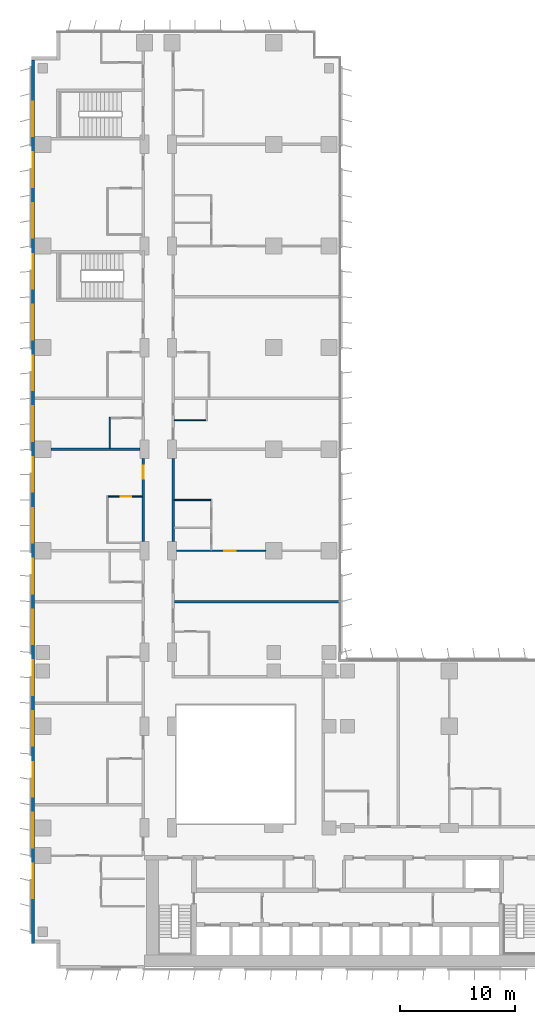
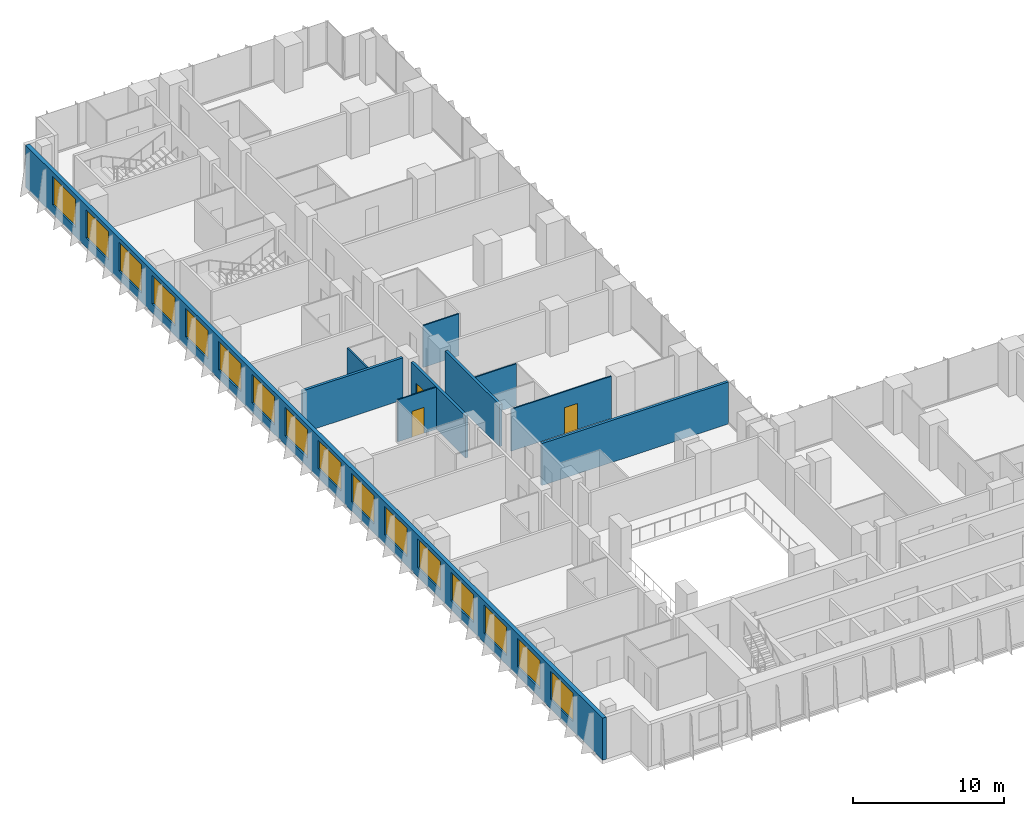
# One storey, part 16 of 24: 16 windows, 10 walls, 3 doors, 19 openings.
"""IFC4 building model written with IfcOpenShell, lengths in metres."""

from ifc_helpers import new_model, si_unit, direction, frame, frame_2d, origin, place, context, subcontext, project, spatial, rectangle, extrude, material, layer, layer_set, type_object, element, fill, save


model = new_model("IFC4")

# Units and contexts
model_context = context("Model", 3, precision=1e-05, world=origin(), true_north=direction((0.0, 1.0)))
body_context = subcontext(model_context, "Body", "Model", "MODEL_VIEW")
ifc_project = project(units=[si_unit("LENGTHUNIT", "METRE"), si_unit("AREAUNIT", "SQUARE_METRE"), si_unit("VOLUMEUNIT", "CUBIC_METRE"), si_unit("PLANEANGLEUNIT", "RADIAN"), si_unit("MASSUNIT", "GRAM", prefix="KILO")], contexts=[model_context])

# Site, building, storey
site_placement = place(None, origin())
site = spatial("IfcSite", under=ifc_project, at=site_placement, CompositionType="ELEMENT")
building_placement = place(site_placement, origin())
building = spatial("IfcBuilding", under=site, at=building_placement, Name="Kemantara Hotel Tower", CompositionType="ELEMENT")
storey_placement = place(building_placement, frame((0.0, 0.0, 41.39990234375)))
storey = spatial("IfcBuildingStorey", under=building, at=storey_placement, Name="L08", CompositionType="ELEMENT", Elevation=41.39990234375)

# Wall, openings, windows
ifc_material_1 = material(Name="Bronze anodised aluminium cladding on insulated steel stud wall", Category="steel")
ifc_layer_1 = layer(ifc_material_1, 0.300048828125)
ifc_layer_set_1 = layer_set([ifc_layer_1], Name="Bronze anodised aluminium cladding on insulated steel stud wall")
wall_type_1 = type_object("IfcWallType", Name="BRONZE METAL-CLAD EXTERNAL WALL 300", PredefinedType="STANDARD", material=ifc_layer_set_1)
wall_1_placement = place(storey_placement, frame((0.14990234375, 78.699951171875, 0.0), z_axis=(0.0, 0.0, 1.0), x_axis=(0.0, -1.0, 0.0)))
wall_1 = element("IfcWall", 1, at=wall_1_placement, inside=storey, type_object=wall_type_1, Name="EXTERNAL WALL L08 T1-R14", PredefinedType="STANDARD", context=body_context, shape_type="SweptSolid", body=[
    extrude(rectangle(XDim=76.5, YDim=0.300048828125, at=frame_2d((38.25, 0.0))), origin(), (0.0, 0.0, 1.0), 3.400146484375),
])
opening_1_placement = place(wall_1_placement, frame((3.60009765625, 0.0, 0.75)))
opening_1 = element("IfcOpeningElement", 2, at=opening_1_placement, cuts=wall_1, Name="Opening W1", PredefinedType="OPENING", context=body_context, shape_type="SweptSolid", body=[
    extrude(rectangle(XDim=3.0, YDim=2.300048828125, at=frame_2d((1.5, 1.14990234375))), frame((0.0, 0.159912109375, 0.0), z_axis=(0.0, -1.0, 0.0), x_axis=(1.0, 0.0, 0.0)), (0.0, 0.0, 1.0), 0.320068359375),
])
opening_2_placement = place(wall_1_placement, frame((8.0, 0.0, 0.75)))
opening_2 = element("IfcOpeningElement", 3, at=opening_2_placement, cuts=wall_1, Name="Opening W1", PredefinedType="OPENING", context=body_context, shape_type="SweptSolid", body=[
    extrude(rectangle(XDim=3.0, YDim=2.300048828125, at=frame_2d((1.5, 1.14990234375))), frame((0.0, 0.159912109375, 0.0), z_axis=(0.0, -1.0, 0.0), x_axis=(1.0, 0.0, 0.0)), (0.0, 0.0, 1.0), 0.320068359375),
])
opening_3_placement = place(wall_1_placement, frame((12.39990234375, 0.0, 0.75)))
opening_3 = element("IfcOpeningElement", 4, at=opening_3_placement, cuts=wall_1, Name="Opening W1", PredefinedType="OPENING", context=body_context, shape_type="SweptSolid", body=[
    extrude(rectangle(XDim=3.0, YDim=2.300048828125, at=frame_2d((1.5, 1.14990234375))), frame((0.0, 0.159912109375, 0.0), z_axis=(0.0, -1.0, 0.0), x_axis=(1.0, 0.0, 0.0)), (0.0, 0.0, 1.0), 0.320068359375),
])
opening_4_placement = place(wall_1_placement, frame((16.800048828125, 0.0, 0.75)))
opening_4 = element("IfcOpeningElement", 5, at=opening_4_placement, cuts=wall_1, Name="Opening W1", PredefinedType="OPENING", context=body_context, shape_type="SweptSolid", body=[
    extrude(rectangle(XDim=3.0, YDim=2.300048828125, at=frame_2d((1.5, 1.14990234375))), frame((0.0, 0.159912109375, 0.0), z_axis=(0.0, -1.0, 0.0), x_axis=(1.0, 0.0, 0.0)), (0.0, 0.0, 1.0), 0.320068359375),
])
opening_5_placement = place(wall_1_placement, frame((21.199951171875, 0.0, 0.75)))
opening_5 = element("IfcOpeningElement", 6, at=opening_5_placement, cuts=wall_1, Name="Opening W1", PredefinedType="OPENING", context=body_context, shape_type="SweptSolid", body=[
    extrude(rectangle(XDim=3.0, YDim=2.300048828125, at=frame_2d((1.5, 1.14990234375))), frame((0.0, 0.159912109375, 0.0), z_axis=(0.0, -1.0, 0.0), x_axis=(1.0, 0.0, 0.0)), (0.0, 0.0, 1.0), 0.320068359375),
])
opening_6_placement = place(wall_1_placement, frame((25.60009765625, 0.0, 0.75)))
opening_6 = element("IfcOpeningElement", 7, at=opening_6_placement, cuts=wall_1, Name="Opening W1", PredefinedType="OPENING", context=body_context, shape_type="SweptSolid", body=[
    extrude(rectangle(XDim=3.0, YDim=2.300048828125, at=frame_2d((1.5, 1.14990234375))), frame((0.0, 0.159912109375, 0.0), z_axis=(0.0, -1.0, 0.0), x_axis=(1.0, 0.0, 0.0)), (0.0, 0.0, 1.0), 0.320068359375),
])
opening_7_placement = place(wall_1_placement, frame((30.0, 0.0, 0.75)))
opening_7 = element("IfcOpeningElement", 8, at=opening_7_placement, cuts=wall_1, Name="Opening W1", PredefinedType="OPENING", context=body_context, shape_type="SweptSolid", body=[
    extrude(rectangle(XDim=3.0, YDim=2.300048828125, at=frame_2d((1.5, 1.14990234375))), frame((0.0, 0.159912109375, 0.0), z_axis=(0.0, -1.0, 0.0), x_axis=(1.0, 0.0, 0.0)), (0.0, 0.0, 1.0), 0.320068359375),
])
opening_8_placement = place(wall_1_placement, frame((34.39990234375, 0.0, 0.75)))
opening_8 = element("IfcOpeningElement", 9, at=opening_8_placement, cuts=wall_1, Name="Opening W1", PredefinedType="OPENING", context=body_context, shape_type="SweptSolid", body=[
    extrude(rectangle(XDim=3.0, YDim=2.300048828125, at=frame_2d((1.5, 1.14990234375))), frame((0.0, 0.159912109375, 0.0), z_axis=(0.0, -1.0, 0.0), x_axis=(1.0, 0.0, 0.0)), (0.0, 0.0, 1.0), 0.320068359375),
])
opening_9_placement = place(wall_1_placement, frame((38.800048828125, 0.0, 0.75)))
opening_9 = element("IfcOpeningElement", 10, at=opening_9_placement, cuts=wall_1, Name="Opening W1", PredefinedType="OPENING", context=body_context, shape_type="SweptSolid", body=[
    extrude(rectangle(XDim=3.0, YDim=2.300048828125, at=frame_2d((1.5, 1.14990234375))), frame((0.0, 0.159912109375, 0.0), z_axis=(0.0, -1.0, 0.0), x_axis=(1.0, 0.0, 0.0)), (0.0, 0.0, 1.0), 0.320068359375),
])
opening_10_placement = place(wall_1_placement, frame((43.199951171875, 0.0, 0.75)))
opening_10 = element("IfcOpeningElement", 11, at=opening_10_placement, cuts=wall_1, Name="Opening W1", PredefinedType="OPENING", context=body_context, shape_type="SweptSolid", body=[
    extrude(rectangle(XDim=3.0, YDim=2.300048828125, at=frame_2d((1.5, 1.14990234375))), frame((0.0, 0.159912109375, 0.0), z_axis=(0.0, -1.0, 0.0), x_axis=(1.0, 0.0, 0.0)), (0.0, 0.0, 1.0), 0.320068359375),
])
opening_11_placement = place(wall_1_placement, frame((47.60009765625, 0.0, 0.75)))
opening_11 = element("IfcOpeningElement", 12, at=opening_11_placement, cuts=wall_1, Name="Opening W1", PredefinedType="OPENING", context=body_context, shape_type="SweptSolid", body=[
    extrude(rectangle(XDim=3.0, YDim=2.300048828125, at=frame_2d((1.5, 1.14990234375))), frame((0.0, 0.159912109375, 0.0), z_axis=(0.0, -1.0, 0.0), x_axis=(1.0, 0.0, 0.0)), (0.0, 0.0, 1.0), 0.320068359375),
])
opening_12_placement = place(wall_1_placement, frame((52.0, 0.0, 0.75)))
opening_12 = element("IfcOpeningElement", 13, at=opening_12_placement, cuts=wall_1, Name="Opening W1", PredefinedType="OPENING", context=body_context, shape_type="SweptSolid", body=[
    extrude(rectangle(XDim=3.0, YDim=2.300048828125, at=frame_2d((1.5, 1.14990234375))), frame((0.0, 0.159912109375, 0.0), z_axis=(0.0, -1.0, 0.0), x_axis=(1.0, 0.0, 0.0)), (0.0, 0.0, 1.0), 0.320068359375),
])
opening_13_placement = place(wall_1_placement, frame((56.39990234375, 0.0, 0.75)))
opening_13 = element("IfcOpeningElement", 14, at=opening_13_placement, cuts=wall_1, Name="Opening W1", PredefinedType="OPENING", context=body_context, shape_type="SweptSolid", body=[
    extrude(rectangle(XDim=3.0, YDim=2.300048828125, at=frame_2d((1.5, 1.14990234375))), frame((0.0, 0.159912109375, 0.0), z_axis=(0.0, -1.0, 0.0), x_axis=(1.0, 0.0, 0.0)), (0.0, 0.0, 1.0), 0.320068359375),
])
opening_14_placement = place(wall_1_placement, frame((60.800048828125, 0.0, 0.75)))
opening_14 = element("IfcOpeningElement", 15, at=opening_14_placement, cuts=wall_1, Name="Opening W1", PredefinedType="OPENING", context=body_context, shape_type="SweptSolid", body=[
    extrude(rectangle(XDim=3.0, YDim=2.300048828125, at=frame_2d((1.5, 1.14990234375))), frame((0.0, 0.159912109375, 0.0), z_axis=(0.0, -1.0, 0.0), x_axis=(1.0, 0.0, 0.0)), (0.0, 0.0, 1.0), 0.320068359375),
])
opening_15_placement = place(wall_1_placement, frame((65.199951171875, 0.0, 0.75)))
opening_15 = element("IfcOpeningElement", 16, at=opening_15_placement, cuts=wall_1, Name="Opening W1", PredefinedType="OPENING", context=body_context, shape_type="SweptSolid", body=[
    extrude(rectangle(XDim=3.0, YDim=2.300048828125, at=frame_2d((1.5, 1.14990234375))), frame((0.0, 0.159912109375, 0.0), z_axis=(0.0, -1.0, 0.0), x_axis=(1.0, 0.0, 0.0)), (0.0, 0.0, 1.0), 0.320068359375),
])
opening_16_placement = place(wall_1_placement, frame((69.60009765625, 0.0, 0.75)))
opening_16 = element("IfcOpeningElement", 17, at=opening_16_placement, cuts=wall_1, Name="Opening W1", PredefinedType="OPENING", context=body_context, shape_type="SweptSolid", body=[
    extrude(rectangle(XDim=3.0, YDim=2.300048828125, at=frame_2d((1.5, 1.14990234375))), frame((0.0, 0.159912109375, 0.0), z_axis=(0.0, -1.0, 0.0), x_axis=(1.0, 0.0, 0.0)), (0.0, 0.0, 1.0), 0.320068359375),
])
ifc_material_2 = material(Name="Low-E tinted double insulated glass in bronze anodised aluminium frame", Category="aluminium")
window_type = type_object("IfcWindowType", Name="CHICAGO WINDOW, TRIPLE PANEL 3000x2300", PartitioningType="TRIPLE_PANEL_VERTICAL", PredefinedType="WINDOW", material=ifc_material_2)
window_1_placement = place(opening_1_placement, origin())
window_1 = element("IfcWindow", 18, at=window_1_placement, inside=storey, type_object=window_type, Name="CHICAGO WINDOW L08 T1-R14-54", OverallHeight=2.300048828125, OverallWidth=3.0, PartitioningType="SINGLE_PANEL", PredefinedType="WINDOW", context=body_context, shape_type="SweptSolid", body=[
    extrude(rectangle(XDim=3.0, YDim=2.300048828125, at=frame_2d((1.5, 1.14990234375))), frame((0.0, 0.030029296875, 0.0), z_axis=(0.0, -1.0, 0.0), x_axis=(1.0, 0.0, 0.0)), (0.0, 0.0, 1.0), 0.06005859375),
])
fill(opening_1, window_1)
window_2_placement = place(opening_2_placement, origin())
window_2 = element("IfcWindow", 19, at=window_2_placement, inside=storey, type_object=window_type, Name="CHICAGO WINDOW L08 T1-R14-98", OverallHeight=2.300048828125, OverallWidth=3.0, PartitioningType="SINGLE_PANEL", PredefinedType="WINDOW", context=body_context, shape_type="SweptSolid", body=[
    extrude(rectangle(XDim=3.0, YDim=2.300048828125, at=frame_2d((1.5, 1.14990234375))), frame((0.0, 0.030029296875, 0.0), z_axis=(0.0, -1.0, 0.0), x_axis=(1.0, 0.0, 0.0)), (0.0, 0.0, 1.0), 0.06005859375),
])
fill(opening_2, window_2)
window_3_placement = place(opening_3_placement, origin())
window_3 = element("IfcWindow", 20, at=window_3_placement, inside=storey, type_object=window_type, Name="CHICAGO WINDOW L08 T1-R14-142", OverallHeight=2.300048828125, OverallWidth=3.0, PartitioningType="SINGLE_PANEL", PredefinedType="WINDOW", context=body_context, shape_type="SweptSolid", body=[
    extrude(rectangle(XDim=3.0, YDim=2.300048828125, at=frame_2d((1.5, 1.14990234375))), frame((0.0, 0.030029296875, 0.0), z_axis=(0.0, -1.0, 0.0), x_axis=(1.0, 0.0, 0.0)), (0.0, 0.0, 1.0), 0.06005859375),
])
fill(opening_3, window_3)
window_4_placement = place(opening_4_placement, origin())
window_4 = element("IfcWindow", 21, at=window_4_placement, inside=storey, type_object=window_type, Name="CHICAGO WINDOW L08 T1-R14-186", OverallHeight=2.300048828125, OverallWidth=3.0, PartitioningType="SINGLE_PANEL", PredefinedType="WINDOW", context=body_context, shape_type="SweptSolid", body=[
    extrude(rectangle(XDim=3.0, YDim=2.300048828125, at=frame_2d((1.5, 1.14990234375))), frame((0.0, 0.030029296875, 0.0), z_axis=(0.0, -1.0, 0.0), x_axis=(1.0, 0.0, 0.0)), (0.0, 0.0, 1.0), 0.06005859375),
])
fill(opening_4, window_4)
window_5_placement = place(opening_5_placement, origin())
window_5 = element("IfcWindow", 22, at=window_5_placement, inside=storey, type_object=window_type, Name="CHICAGO WINDOW L08 T1-R14-230", OverallHeight=2.300048828125, OverallWidth=3.0, PartitioningType="SINGLE_PANEL", PredefinedType="WINDOW", context=body_context, shape_type="SweptSolid", body=[
    extrude(rectangle(XDim=3.0, YDim=2.300048828125, at=frame_2d((1.5, 1.14990234375))), frame((0.0, 0.030029296875, 0.0), z_axis=(0.0, -1.0, 0.0), x_axis=(1.0, 0.0, 0.0)), (0.0, 0.0, 1.0), 0.06005859375),
])
fill(opening_5, window_5)
window_6_placement = place(opening_6_placement, origin())
window_6 = element("IfcWindow", 23, at=window_6_placement, inside=storey, type_object=window_type, Name="CHICAGO WINDOW L08 T1-R14-274", OverallHeight=2.300048828125, OverallWidth=3.0, PartitioningType="SINGLE_PANEL", PredefinedType="WINDOW", context=body_context, shape_type="SweptSolid", body=[
    extrude(rectangle(XDim=3.0, YDim=2.300048828125, at=frame_2d((1.5, 1.14990234375))), frame((0.0, 0.030029296875, 0.0), z_axis=(0.0, -1.0, 0.0), x_axis=(1.0, 0.0, 0.0)), (0.0, 0.0, 1.0), 0.06005859375),
])
fill(opening_6, window_6)
window_7_placement = place(opening_7_placement, origin())
window_7 = element("IfcWindow", 24, at=window_7_placement, inside=storey, type_object=window_type, Name="CHICAGO WINDOW L08 T1-R14-318", OverallHeight=2.300048828125, OverallWidth=3.0, PartitioningType="SINGLE_PANEL", PredefinedType="WINDOW", context=body_context, shape_type="SweptSolid", body=[
    extrude(rectangle(XDim=3.0, YDim=2.300048828125, at=frame_2d((1.5, 1.14990234375))), frame((0.0, 0.030029296875, 0.0), z_axis=(0.0, -1.0, 0.0), x_axis=(1.0, 0.0, 0.0)), (0.0, 0.0, 1.0), 0.06005859375),
])
fill(opening_7, window_7)
window_8_placement = place(opening_8_placement, origin())
window_8 = element("IfcWindow", 25, at=window_8_placement, inside=storey, type_object=window_type, Name="CHICAGO WINDOW L08 T1-R14-362", OverallHeight=2.300048828125, OverallWidth=3.0, PartitioningType="SINGLE_PANEL", PredefinedType="WINDOW", context=body_context, shape_type="SweptSolid", body=[
    extrude(rectangle(XDim=3.0, YDim=2.300048828125, at=frame_2d((1.5, 1.14990234375))), frame((0.0, 0.030029296875, 0.0), z_axis=(0.0, -1.0, 0.0), x_axis=(1.0, 0.0, 0.0)), (0.0, 0.0, 1.0), 0.06005859375),
])
fill(opening_8, window_8)
window_9_placement = place(opening_9_placement, origin())
window_9 = element("IfcWindow", 26, at=window_9_placement, inside=storey, type_object=window_type, Name="CHICAGO WINDOW L08 T1-R14-406", OverallHeight=2.300048828125, OverallWidth=3.0, PartitioningType="SINGLE_PANEL", PredefinedType="WINDOW", context=body_context, shape_type="SweptSolid", body=[
    extrude(rectangle(XDim=3.0, YDim=2.300048828125, at=frame_2d((1.5, 1.14990234375))), frame((0.0, 0.030029296875, 0.0), z_axis=(0.0, -1.0, 0.0), x_axis=(1.0, 0.0, 0.0)), (0.0, 0.0, 1.0), 0.06005859375),
])
fill(opening_9, window_9)
window_10_placement = place(opening_10_placement, origin())
window_10 = element("IfcWindow", 27, at=window_10_placement, inside=storey, type_object=window_type, Name="CHICAGO WINDOW L08 T1-R14-450", OverallHeight=2.300048828125, OverallWidth=3.0, PartitioningType="SINGLE_PANEL", PredefinedType="WINDOW", context=body_context, shape_type="SweptSolid", body=[
    extrude(rectangle(XDim=3.0, YDim=2.300048828125, at=frame_2d((1.5, 1.14990234375))), frame((0.0, 0.030029296875, 0.0), z_axis=(0.0, -1.0, 0.0), x_axis=(1.0, 0.0, 0.0)), (0.0, 0.0, 1.0), 0.06005859375),
])
fill(opening_10, window_10)
window_11_placement = place(opening_11_placement, origin())
window_11 = element("IfcWindow", 28, at=window_11_placement, inside=storey, type_object=window_type, Name="CHICAGO WINDOW L08 T1-R14-494", OverallHeight=2.300048828125, OverallWidth=3.0, PartitioningType="SINGLE_PANEL", PredefinedType="WINDOW", context=body_context, shape_type="SweptSolid", body=[
    extrude(rectangle(XDim=3.0, YDim=2.300048828125, at=frame_2d((1.5, 1.14990234375))), frame((0.0, 0.030029296875, 0.0), z_axis=(0.0, -1.0, 0.0), x_axis=(1.0, 0.0, 0.0)), (0.0, 0.0, 1.0), 0.06005859375),
])
fill(opening_11, window_11)
window_12_placement = place(opening_12_placement, origin())
window_12 = element("IfcWindow", 29, at=window_12_placement, inside=storey, type_object=window_type, Name="CHICAGO WINDOW L08 T1-R14-538", OverallHeight=2.300048828125, OverallWidth=3.0, PartitioningType="SINGLE_PANEL", PredefinedType="WINDOW", context=body_context, shape_type="SweptSolid", body=[
    extrude(rectangle(XDim=3.0, YDim=2.300048828125, at=frame_2d((1.5, 1.14990234375))), frame((0.0, 0.030029296875, 0.0), z_axis=(0.0, -1.0, 0.0), x_axis=(1.0, 0.0, 0.0)), (0.0, 0.0, 1.0), 0.06005859375),
])
fill(opening_12, window_12)
window_13_placement = place(opening_13_placement, origin())
window_13 = element("IfcWindow", 30, at=window_13_placement, inside=storey, type_object=window_type, Name="CHICAGO WINDOW L08 T1-R14-582", OverallHeight=2.300048828125, OverallWidth=3.0, PartitioningType="SINGLE_PANEL", PredefinedType="WINDOW", context=body_context, shape_type="SweptSolid", body=[
    extrude(rectangle(XDim=3.0, YDim=2.300048828125, at=frame_2d((1.5, 1.14990234375))), frame((0.0, 0.030029296875, 0.0), z_axis=(0.0, -1.0, 0.0), x_axis=(1.0, 0.0, 0.0)), (0.0, 0.0, 1.0), 0.06005859375),
])
fill(opening_13, window_13)
window_14_placement = place(opening_14_placement, origin())
window_14 = element("IfcWindow", 31, at=window_14_placement, inside=storey, type_object=window_type, Name="CHICAGO WINDOW L08 T1-R14-626", OverallHeight=2.300048828125, OverallWidth=3.0, PartitioningType="SINGLE_PANEL", PredefinedType="WINDOW", context=body_context, shape_type="SweptSolid", body=[
    extrude(rectangle(XDim=3.0, YDim=2.300048828125, at=frame_2d((1.5, 1.14990234375))), frame((0.0, 0.030029296875, 0.0), z_axis=(0.0, -1.0, 0.0), x_axis=(1.0, 0.0, 0.0)), (0.0, 0.0, 1.0), 0.06005859375),
])
fill(opening_14, window_14)
window_15_placement = place(opening_15_placement, origin())
window_15 = element("IfcWindow", 32, at=window_15_placement, inside=storey, type_object=window_type, Name="CHICAGO WINDOW L08 T1-R14-670", OverallHeight=2.300048828125, OverallWidth=3.0, PartitioningType="SINGLE_PANEL", PredefinedType="WINDOW", context=body_context, shape_type="SweptSolid", body=[
    extrude(rectangle(XDim=3.0, YDim=2.300048828125, at=frame_2d((1.5, 1.14990234375))), frame((0.0, 0.030029296875, 0.0), z_axis=(0.0, -1.0, 0.0), x_axis=(1.0, 0.0, 0.0)), (0.0, 0.0, 1.0), 0.06005859375),
])
fill(opening_15, window_15)
window_16_placement = place(opening_16_placement, origin())
window_16 = element("IfcWindow", 33, at=window_16_placement, inside=storey, type_object=window_type, Name="CHICAGO WINDOW L08 T1-R14-714", OverallHeight=2.300048828125, OverallWidth=3.0, PartitioningType="SINGLE_PANEL", PredefinedType="WINDOW", context=body_context, shape_type="SweptSolid", body=[
    extrude(rectangle(XDim=3.0, YDim=2.300048828125, at=frame_2d((1.5, 1.14990234375))), frame((0.0, 0.030029296875, 0.0), z_axis=(0.0, -1.0, 0.0), x_axis=(1.0, 0.0, 0.0)), (0.0, 0.0, 1.0), 0.06005859375),
])
fill(opening_16, window_16)

# Wall, opening, door
ifc_material_3 = material(Name="Gypsum board partition, steel studs and mineral wool, 200 mm", Category="steel")
ifc_layer_2 = layer(ifc_material_3, 0.199951171875)
ifc_layer_set_2 = layer_set([ifc_layer_2], Name="Gypsum board partition, steel studs and mineral wool, 200 mm")
wall_type_2 = type_object("IfcWallType", Name="CORRIDOR WALL 200", PredefinedType="PARTITIONING", material=ifc_layer_set_2)
wall_2_placement = place(storey_placement, frame((9.699951171875, 37.0, 0.0), z_axis=(0.0, 0.0, 1.0), x_axis=(0.0, 1.0, 0.0)))
wall_2 = element("IfcWall", 34, at=wall_2_placement, inside=storey, type_object=wall_type_2, Name="CORRIDOR WALL 200 028", PredefinedType="PARTITIONING", context=body_context, shape_type="SweptSolid", body=[
    extrude(rectangle(XDim=7.199951171875, YDim=0.199951171875, at=frame_2d((3.60009765625, 0.0))), origin(), (0.0, 0.0, 1.0), 3.400146484375),
])
opening_17_placement = place(wall_2_placement, frame((5.449951171875, 0.0, 0.0)))
opening_17 = element("IfcOpeningElement", 35, at=opening_17_placement, cuts=wall_2, Name="Opening F02-035", PredefinedType="OPENING", context=body_context, shape_type="SweptSolid", body=[
    extrude(rectangle(XDim=1.10009765625, YDim=2.10009765625, at=frame_2d((0.550048828125, 1.050048828125))), frame((0.0, 0.10986328125, 0.0), z_axis=(0.0, -1.0, 0.0), x_axis=(1.0, 0.0, 0.0)), (0.0, 0.0, 1.0), 0.219970703125),
])
ifc_material_4 = material(Name="Hardwood veneer door leaf with steel frame", Category="steel")
door_type_1 = type_object("IfcDoorType", Name="SUITE ENTRANCE DOOR 1100 X 2100 FD30S", OperationType="NOTDEFINED", PredefinedType="DOOR", material=ifc_material_4)
door_1_placement = place(opening_17_placement, origin())
door_1 = element("IfcDoor", 36, at=door_1_placement, inside=storey, type_object=door_type_1, Name="SUITE ENTRANCE DOOR F02-035", OperationType="SINGLE_SWING_RIGHT", OverallHeight=2.10009765625, OverallWidth=1.10009765625, PredefinedType="DOOR", context=body_context, shape_type="SweptSolid", body=[
    extrude(rectangle(XDim=1.10009765625, YDim=2.10009765625, at=frame_2d((0.550048828125, 1.050048828125))), frame((0.0, 0.02490234375, 0.0), z_axis=(0.0, -1.0, 0.0), x_axis=(1.0, 0.0, 0.0)), (0.0, 0.0, 1.0), 0.050048828125),
])
fill(opening_17, door_1)

# Walls
wall_3_placement = place(storey_placement, frame((12.300048828125, 37.0, 0.0), z_axis=(0.0, 0.0, 1.0), x_axis=(0.0, 1.0, 0.0)))
element("IfcWall", 37, at=wall_3_placement, inside=storey, type_object=wall_type_2, Name="CORRIDOR WALL 200 045", PredefinedType="PARTITIONING", context=body_context, shape_type="SweptSolid", body=[
    extrude(rectangle(XDim=7.199951171875, YDim=0.199951171875, at=frame_2d((3.60009765625, 0.0))), origin(), (0.0, 0.0, 1.0), 3.400146484375),
])
ifc_layer_3 = layer(ifc_material_3, 0.199951171875)
ifc_layer_set_3 = layer_set([ifc_layer_3], Name="Gypsum board partition, steel studs and mineral wool, 200 mm")
wall_type_3 = type_object("IfcWallType", Name="GUEST ROOM PARTY WALL 200", PredefinedType="PARTITIONING", material=ifc_layer_set_3)
wall_4_placement = place(storey_placement, frame((12.39990234375, 31.800048828125, 0.0), z_axis=(0.0, 0.0, 1.0), x_axis=(1.0, 0.0, 0.0)))
element("IfcWall", 38, at=wall_4_placement, inside=storey, type_object=wall_type_3, Name="GUEST ROOM PARTY WALL 200 036", PredefinedType="PARTITIONING", context=body_context, shape_type="SweptSolid", body=[
    extrude(rectangle(XDim=14.27001953125, YDim=0.199951171875, at=frame_2d((7.135009765625, 0.0))), origin(), (0.0, 0.0, 1.0), 3.400146484375),
])
wall_5_placement = place(storey_placement, frame((1.7001953125, 45.0, 0.0), z_axis=(0.0, 0.0, 1.0), x_axis=(1.0, 0.0, 0.0)))
element("IfcWall", 39, at=wall_5_placement, inside=storey, type_object=wall_type_3, Name="GUEST ROOM PARTY WALL 200 038", PredefinedType="PARTITIONING", context=body_context, shape_type="SweptSolid", body=[
    extrude(rectangle(XDim=7.69970703125, YDim=0.199951171875, at=frame_2d((3.849853515625, 0.0))), origin(), (0.0, 0.0, 1.0), 3.400146484375),
])
ifc_material_5 = material(Name="Gypsum board partition on steel studs, 100 mm", Category="steel")
ifc_layer_4 = layer(ifc_material_5, 0.10009765625)
ifc_layer_set_4 = layer_set([ifc_layer_4], Name="Gypsum board partition on steel studs, 100 mm")
wall_type_4 = type_object("IfcWallType", Name="ROOM PARTITION 100", PredefinedType="PARTITIONING", material=ifc_layer_set_4)
wall_6_placement = place(storey_placement, frame((6.800048828125, 45.10009765625, 0.0), z_axis=(0.0, 0.0, 1.0), x_axis=(0.0, 1.0, 0.0)))
element("IfcWall", 40, at=wall_6_placement, inside=storey, type_object=wall_type_4, Name="ROOM PARTITION 100 099", PredefinedType="PARTITIONING", context=body_context, shape_type="SweptSolid", body=[
    extrude(rectangle(XDim=2.64990234375, YDim=0.10009765625, at=frame_2d((1.324951171875, 0.0))), origin(), (0.0, 0.0, 1.0), 3.400146484375),
])

# Wall, opening, door
wall_7_placement = place(storey_placement, frame((9.60009765625, 40.89990234375, 0.0), z_axis=(0.0, 0.0, 1.0), x_axis=(-1.0, 0.0, 0.0)))
wall_7 = element("IfcWall", 41, at=wall_7_placement, inside=storey, type_object=wall_type_4, Name="ROOM PARTITION 100 102", PredefinedType="PARTITIONING", context=body_context, shape_type="SweptSolid", body=[
    extrude(rectangle(XDim=2.9501953125, YDim=0.10009765625, at=frame_2d((1.47509765625, 0.0))), origin(), (0.0, 0.0, 1.0), 3.400146484375),
])
opening_18_placement = place(wall_7_placement, frame((0.949951171875, 0.0, 0.0)))
opening_18 = element("IfcOpeningElement", 42, at=opening_18_placement, cuts=wall_7, Name="Opening F02-036", PredefinedType="OPENING", context=body_context, shape_type="SweptSolid", body=[
    extrude(rectangle(XDim=0.89990234375, YDim=2.10009765625, at=frame_2d((0.449951171875, 1.050048828125))), frame((0.0, 0.06005859375, 0.0), z_axis=(0.0, -1.0, 0.0), x_axis=(1.0, 0.0, 0.0)), (0.0, 0.0, 1.0), 0.1201171875),
])
door_type_2 = type_object("IfcDoorType", Name="BATHROOM DOOR 900 X 2100", OperationType="NOTDEFINED", PredefinedType="DOOR", material=ifc_material_4)
door_2_placement = place(opening_18_placement, origin())
door_2 = element("IfcDoor", 43, at=door_2_placement, inside=storey, type_object=door_type_2, Name="BATHROOM DOOR F02-036", OperationType="SINGLE_SWING_LEFT", OverallHeight=2.10009765625, OverallWidth=0.89990234375, PredefinedType="DOOR", context=body_context, shape_type="SweptSolid", body=[
    extrude(rectangle(XDim=0.89990234375, YDim=2.10009765625, at=frame_2d((0.449951171875, 1.050048828125))), frame((0.0, 0.02490234375, 0.0), z_axis=(0.0, -1.0, 0.0), x_axis=(1.0, 0.0, 0.0)), (0.0, 0.0, 1.0), 0.050048828125),
])
fill(opening_18, door_2)

wall_8_placement = place(storey_placement, frame((12.60009765625, 36.199951171875, 0.0), z_axis=(0.0, 0.0, 1.0), x_axis=(1.0, 0.0, 0.0)))
wall_8 = element("IfcWall", 44, at=wall_8_placement, inside=storey, type_object=wall_type_4, Name="ROOM PARTITION 100 114", PredefinedType="PARTITIONING", context=body_context, shape_type="SweptSolid", body=[
    extrude(rectangle(XDim=7.69970703125, YDim=0.10009765625, at=frame_2d((3.849853515625, 0.0))), origin(), (0.0, 0.0, 1.0), 3.400146484375),
])
opening_19_placement = place(wall_8_placement, frame((4.099853515625, 0.0, 0.0)))
opening_19 = element("IfcOpeningElement", 45, at=opening_19_placement, cuts=wall_8, Name="Opening F02-048", PredefinedType="OPENING", context=body_context, shape_type="SweptSolid", body=[
    extrude(rectangle(XDim=1.0, YDim=2.10009765625, at=frame_2d((0.5, 1.050048828125))), frame((0.0, 0.06005859375, 0.0), z_axis=(0.0, -1.0, 0.0), x_axis=(1.0, 0.0, 0.0)), (0.0, 0.0, 1.0), 0.1201171875),
])
door_type_3 = type_object("IfcDoorType", Name="INTERNAL DOOR 1000 X 2100", OperationType="NOTDEFINED", PredefinedType="DOOR", material=ifc_material_4)
door_3_placement = place(opening_19_placement, origin())
door_3 = element("IfcDoor", 46, at=door_3_placement, inside=storey, type_object=door_type_3, Name="INTERNAL DOOR F02-048", OperationType="SINGLE_SWING_LEFT", OverallHeight=2.10009765625, OverallWidth=1.0, PredefinedType="DOOR", context=body_context, shape_type="SweptSolid", body=[
    extrude(rectangle(XDim=1.0, YDim=2.10009765625, at=frame_2d((0.5, 1.050048828125))), frame((0.0, 0.02490234375, 0.0), z_axis=(0.0, -1.0, 0.0), x_axis=(1.0, 0.0, 0.0)), (0.0, 0.0, 1.0), 0.050048828125),
])
fill(opening_19, door_3)

# Walls
wall_9_placement = place(storey_placement, frame((12.39990234375, 40.60009765625, 0.0), z_axis=(0.0, 0.0, 1.0), x_axis=(1.0, 0.0, 0.0)))
element("IfcWall", 47, at=wall_9_placement, inside=storey, type_object=wall_type_4, Name="ROOM PARTITION 100 116", PredefinedType="PARTITIONING", context=body_context, shape_type="SweptSolid", body=[
    extrude(rectangle(XDim=3.150146484375, YDim=0.10009765625, at=frame_2d((1.5751953125, 0.0))), origin(), (0.0, 0.0, 1.0), 3.400146484375),
])
wall_10_placement = place(storey_placement, frame((12.39990234375, 47.5, 0.0), z_axis=(0.0, 0.0, 1.0), x_axis=(1.0, 0.0, 0.0)))
element("IfcWall", 48, at=wall_10_placement, inside=storey, type_object=wall_type_4, Name="ROOM PARTITION 100 119", PredefinedType="PARTITIONING", context=body_context, shape_type="SweptSolid", body=[
    extrude(rectangle(XDim=2.75, YDim=0.10009765625, at=frame_2d((1.375, 0.0))), origin(), (0.0, 0.0, 1.0), 3.400146484375),
])

save(model, "model.ifc")
